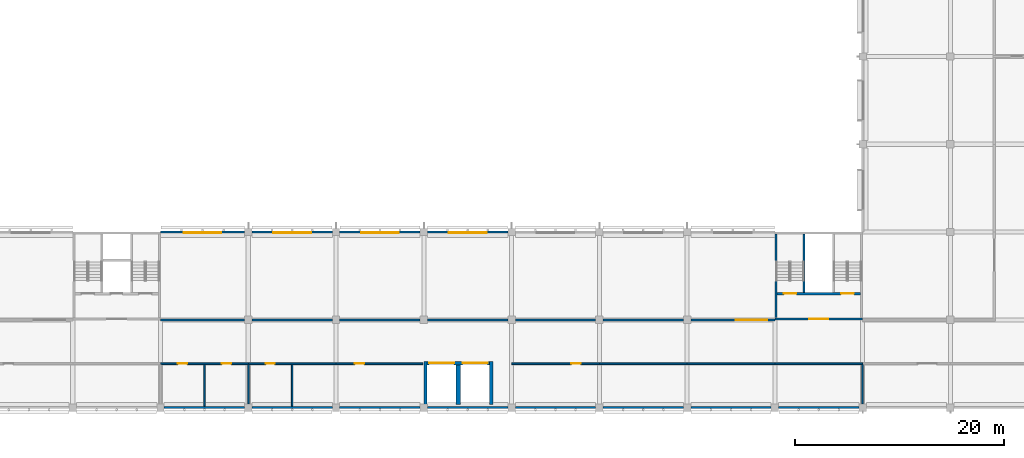
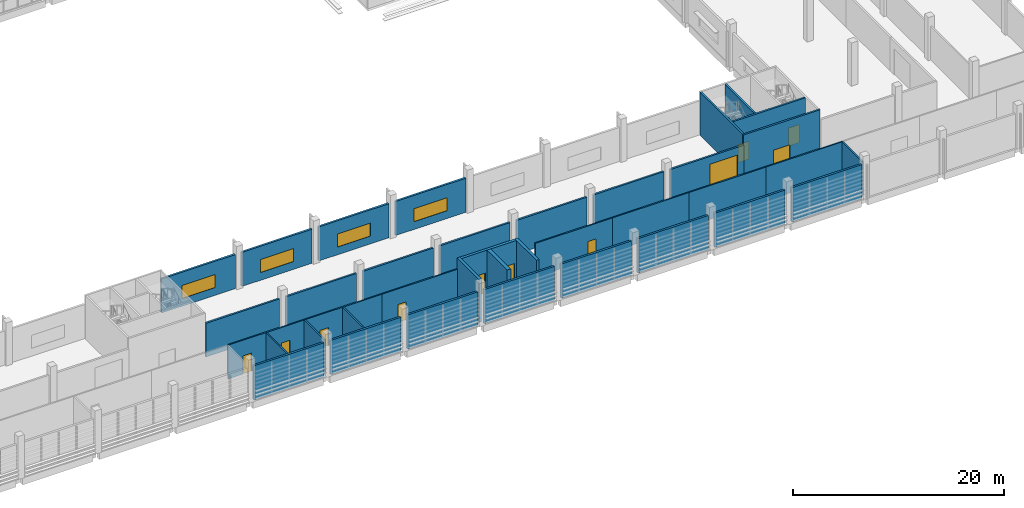
# One storey, part 21 of 82: 38 walls, 11 doors, 4 windows, 15 openings.
"""IFC4 building model written with IfcOpenShell, lengths in metres."""

import ifcopenshell
import ifcopenshell.guid

model = None  # the IFC model being written
_history = None  # IfcOwnerHistory: only IFC2X3 demands one
_inside = {}  # id of a spatial element -> (the spatial element, [elements in it])
_under = {}  # id of a project, library or spatial element -> (it, [spatial elements below it])
_declared = {}  # id of a project -> (the project, [libraries it declares])
_typed = {}  # id of a type object -> (the type object, [elements of that type])
_made_of = {}  # id of a material, layer set ... -> (it, [elements and type objects made of it])


def new_model(schema):
    """Start an empty IFC model of exactly this schema.

    Asked for "IFC4X3", IfcOpenShell would pick the latest addendum, in which some entities
    have other attributes; the version numbers below select the first issue.
    IFC2X3 requires an IfcOwnerHistory on every rooted entity: one is made here for all.
    """
    global model, _history
    if schema == "IFC4X3":
        model = ifcopenshell.file(schema_version=(4, 3, 0, 0))
    else:
        model = ifcopenshell.file(schema=schema)
    _inside.clear()
    _under.clear()
    _declared.clear()
    _typed.clear()
    _made_of.clear()
    _history = None
    if model.schema == "IFC2X3":
        org = make("IfcOrganization", Name="unknown")
        user = make(
            "IfcPersonAndOrganization",
            ThePerson=make("IfcPerson", FamilyName="unknown"),
            TheOrganization=org,
        )
        app = make(
            "IfcApplication",
            ApplicationDeveloper=org,
            Version="unknown",
            ApplicationFullName="unknown",
            ApplicationIdentifier="unknown",
        )
        _history = make(
            "IfcOwnerHistory",
            OwningUser=user,
            OwningApplication=app,
            ChangeAction="ADDED",
            CreationDate=0,
        )
    return model


def make(cls, **values):
    """One entity of the class cls with the attributes given. An attribute that is None is left unset."""
    return model.create_entity(
        cls, **{name: value for name, value in values.items() if value is not None}
    )


def rooted(cls, **values):
    """An entity with a GlobalId (a new one), such as an element, a storey or a relation."""
    return make(cls, GlobalId=ifcopenshell.guid.new(), OwnerHistory=_history, **values)


def si_unit(unit_type, name, prefix=None):
    """IfcSIUnit, for example si_unit("LENGTHUNIT", "METRE", prefix="MILLI")."""
    return make("IfcSIUnit", UnitType=unit_type, Prefix=prefix, Name=name)


def assignment(units):
    """IfcUnitAssignment: the units of a project."""
    return None if units is None else make("IfcUnitAssignment", Units=units)


def point(xyz):
    """IfcCartesianPoint."""
    return None if xyz is None else make("IfcCartesianPoint", Coordinates=xyz)


def direction(xyz):
    """IfcDirection."""
    return None if xyz is None else make("IfcDirection", DirectionRatios=xyz)


def frame(location, z_axis=None, x_axis=None):
    """IfcAxis2Placement3D, a coordinate frame: its origin and axes. An axis left out is left unset."""
    return make(
        "IfcAxis2Placement3D",
        Location=point(location),
        Axis=direction(z_axis),
        RefDirection=direction(x_axis),
    )


def frame_2d(location, x_axis=None):
    """IfcAxis2Placement2D, a coordinate frame in the plane: its origin and x axis."""
    return make(
        "IfcAxis2Placement2D", Location=point(location), RefDirection=direction(x_axis)
    )


def origin():
    """The frame at (0, 0, 0) with its axes left unset."""
    return frame((0.0, 0.0, 0.0))


def place(relative_to, where):
    """IfcLocalPlacement: puts the frame where relative to a parent placement (None: the world)."""
    return make(
        "IfcLocalPlacement", PlacementRelTo=relative_to, RelativePlacement=where
    )


def context(
    kind, dimensions, precision=None, world=None, true_north=None, identifier=None
):
    """IfcGeometricRepresentationContext, for example the 3D "Model" context."""
    return make(
        "IfcGeometricRepresentationContext",
        ContextIdentifier=identifier,
        ContextType=kind,
        CoordinateSpaceDimension=dimensions,
        Precision=precision,
        WorldCoordinateSystem=world,
        TrueNorth=true_north,
    )


def subcontext(parent, identifier, kind, view, scale=None):
    """IfcGeometricRepresentationSubContext, for example "Body" below "Model"."""
    return make(
        "IfcGeometricRepresentationSubContext",
        ContextIdentifier=identifier,
        ContextType=kind,
        ParentContext=parent,
        TargetScale=scale,
        TargetView=view,
    )


def project(units=None, contexts=None):
    """IfcProject with its units and contexts."""
    return rooted(
        "IfcProject",
        Name="project",
        RepresentationContexts=contexts,
        UnitsInContext=assignment(units),
    )


def spatial(cls, under=None, at=None, **own):
    """A site, building, storey or space (cls), placed at a placement, below another one or the project."""
    s = rooted(cls, ObjectPlacement=at, **own)
    if under is not None:
        _under.setdefault(under.id(), (under, []))[1].append(s)
    return s


def profile(cls, at=None, kind="AREA", **sizes):
    """A parametric profile (cls). Its sizes go by their IFC names, for example OverallWidth=200.0."""
    return make(cls, ProfileType=kind, Position=at, **sizes)


def rectangle(**sizes):
    """IfcRectangleProfileDef."""
    return profile("IfcRectangleProfileDef", **sizes)


def extrude(swept, where, along, depth):
    """IfcExtrudedAreaSolid: the profile swept, set in the frame where, extruded along a direction by depth."""
    return make(
        "IfcExtrudedAreaSolid",
        SweptArea=swept,
        Position=where,
        ExtrudedDirection=direction(along),
        Depth=depth,
    )


def shape(context_of_items, identifier, shape_type, items):
    """IfcShapeRepresentation: the items that make up one representation, for example the "Body"."""
    return make(
        "IfcShapeRepresentation",
        ContextOfItems=context_of_items,
        RepresentationIdentifier=identifier,
        RepresentationType=shape_type,
        Items=items,
    )


def material(Name=None, Category=None):
    """IfcMaterial."""
    return make("IfcMaterial", Name=Name, Category=Category)


def layer(
    of_material, thickness, ventilated=None, Name=None, Category=None, Priority=None
):
    """IfcMaterialLayer: one layer of a wall or slab, of a material (None: an air gap)."""
    return make(
        "IfcMaterialLayer",
        Material=of_material,
        LayerThickness=thickness,
        IsVentilated=ventilated,
        Name=Name,
        Category=Category,
        Priority=Priority,
    )


def layer_set(layers, Name=None):
    """IfcMaterialLayerSet."""
    return make("IfcMaterialLayerSet", MaterialLayers=layers, LayerSetName=Name)


def made_of(thing, what):
    """Note that an element or type object is made of a material, layer set ...; save() writes the relation."""
    if what is not None:
        _made_of.setdefault(what.id(), (what, []))[1].append(thing)
    return thing


def type_object(cls, material=None, **own):
    """A type object (cls), such as IfcWallType, which elements share."""
    return made_of(rooted(cls, **own), material)


def element(
    cls,
    number,
    at=None,
    inside=None,
    cuts=None,
    type_object=None,
    material=None,
    context=None,
    identifier="Body",
    shape_type=None,
    held_by="IfcProductDefinitionShape",
    body=None,
    shapes=None,
    **own,
):
    """One element of the class cls, such as IfcWall. Its Tag is "e" and its number.

    at: its placement. inside: the storey or other place that contains it. cuts: it is an
    opening in that element (IfcRelVoidsElement). A single representation is given by context,
    identifier, shape_type and body (its items); several are given by shapes. held_by: the class
    of the entity that holds the representations. save() writes the other relations.
    """
    e = rooted(cls, Tag="e%d" % number, ObjectPlacement=at, **own)
    if body is not None:
        shapes = [shape(context, identifier, shape_type, body)]
    if shapes is not None:
        e.Representation = make(held_by, Representations=shapes)
    if inside is not None:
        _inside.setdefault(inside.id(), (inside, []))[1].append(e)
    if cuts is not None:
        rooted(
            "IfcRelVoidsElement", RelatingBuildingElement=cuts, RelatedOpeningElement=e
        )
    if type_object is not None:
        _typed.setdefault(type_object.id(), (type_object, []))[1].append(e)
    return made_of(e, material)


def fill(opening, filler):
    """IfcRelFillsElement: the door or window that sits in an opening."""
    return rooted(
        "IfcRelFillsElement",
        RelatingOpeningElement=opening,
        RelatedBuildingElement=filler,
    )


def aggregate(whole, parts):
    """IfcRelAggregates: a whole, such as a stair, and the parts it consists of."""
    return rooted("IfcRelAggregates", RelatingObject=whole, RelatedObjects=parts)


def save(model, path):
    """Write the relations noted so far, then the file.

    IfcRelAggregates (storeys below a building ...), IfcRelContainedInSpatialStructure (elements
    in a storey), IfcRelDefinesByType, IfcRelAssociatesMaterial and IfcRelDeclares: one each for
    every whole, place, type object, material and project.
    """
    for whole, parts in _under.values():
        aggregate(whole, parts)
    for where, things in _inside.values():
        rooted(
            "IfcRelContainedInSpatialStructure",
            RelatedElements=things,
            RelatingStructure=where,
        )
    for kind, things in _typed.values():
        rooted("IfcRelDefinesByType", RelatedObjects=things, RelatingType=kind)
    for what, things in _made_of.values():
        rooted("IfcRelAssociatesMaterial", RelatedObjects=things, RelatingMaterial=what)
    for by, libraries in _declared.values():
        rooted("IfcRelDeclares", RelatingContext=by, RelatedDefinitions=libraries)
    model.write(path)


model = new_model("IFC4")

# Units and contexts
model_context = context("Model", 3, precision=1e-05, world=origin(), true_north=direction((0.0, 1.0)))
body_context = subcontext(model_context, "Body", "Model", "MODEL_VIEW")
ifc_project = project(units=[si_unit("LENGTHUNIT", "METRE"), si_unit("AREAUNIT", "SQUARE_METRE"), si_unit("VOLUMEUNIT", "CUBIC_METRE"), si_unit("PLANEANGLEUNIT", "RADIAN"), si_unit("MASSUNIT", "GRAM", prefix="KILO")], contexts=[model_context])

# Site, building, storey
site_placement = place(None, origin())
site = spatial("IfcSite", under=ifc_project, at=site_placement, CompositionType="ELEMENT")
building_placement = place(site_placement, origin())
building = spatial("IfcBuilding", under=site, at=building_placement, Name="Almond Square Museum", CompositionType="ELEMENT")
storey_placement = place(building_placement, frame((0.0, 0.0, 20.0)))
storey = spatial("IfcBuildingStorey", under=building, at=storey_placement, Name="L03", CompositionType="ELEMENT", Elevation=20.0)

# Walls
ifc_material_1 = material(Name="Concrete blockwork 200", Category="masonry")
ifc_layer_1 = layer(ifc_material_1, 0.199951171875)
ifc_layer_set_1 = layer_set([ifc_layer_1], Name="Concrete blockwork 200")
wall_type_1 = type_object("IfcWallType", Name="Fire partition 200 blockwork", PredefinedType="PARTITIONING", material=ifc_layer_set_1)
wall_1_placement = place(storey_placement, frame((64.800048828125, 8.39990234375, 0.0), z_axis=(0.0, 0.0, 1.0), x_axis=(1.0, 0.0, 0.0)))
element("IfcWall", 1, at=wall_1_placement, inside=storey, type_object=wall_type_1, Name="L03 partition 66", PredefinedType="PARTITIONING", context=body_context, shape_type="SweptSolid", body=[
    extrude(rectangle(XDim=8.050048828125, YDim=0.199951171875, at=frame_2d((4.02490234375, 0.0))), origin(), (0.0, 0.0, 1.0), 3.89990234375),
])
for number, where, z_axis, x_axis, name in (
    (2, (73.550048828125, 8.39990234375, 0.0), (0.0, 0.0, 1.0), (1.0, 0.0, 0.0), "L03 partition 67"),
    (3, (81.949951171875, 8.39990234375, 0.0), (0.0, 0.0, 1.0), (1.0, 0.0, 0.0), "L03 partition 68"),
    (4, (90.35009765625, 8.39990234375, 0.0), (0.0, 0.0, 1.0), (1.0, 0.0, 0.0), "L03 partition 69"),
    (5, (98.75, 8.39990234375, 0.0), (0.0, 0.0, 1.0), (1.0, 0.0, 0.0), "L03 partition 70"),
):
    element("IfcWall", number, at=place(storey_placement, frame(where, z_axis=z_axis, x_axis=x_axis)), inside=storey, type_object=wall_type_1, Name=name, PredefinedType="PARTITIONING", context=body_context, shape_type="SweptSolid", body=[
        extrude(rectangle(XDim=7.699951171875, YDim=0.199951171875, at=frame_2d((3.85009765625, 0.0))), origin(), (0.0, 0.0, 1.0), 3.89990234375),
    ])
wall_2_placement = place(storey_placement, frame((107.14990234375, 8.39990234375, 0.0), z_axis=(0.0, 0.0, 1.0), x_axis=(1.0, 0.0, 0.0)))
element("IfcWall", 6, at=wall_2_placement, inside=storey, type_object=wall_type_1, Name="L03 partition 71", PredefinedType="PARTITIONING", context=body_context, shape_type="SweptSolid", body=[
    extrude(rectangle(XDim=7.7001953125, YDim=0.199951171875, at=frame_2d((3.85009765625, 0.0))), origin(), (0.0, 0.0, 1.0), 3.89990234375),
])

# Wall, opening, door
wall_3_placement = place(storey_placement, frame((115.550048828125, 8.39990234375, 0.0), z_axis=(0.0, 0.0, 1.0), x_axis=(1.0, 0.0, 0.0)))
wall_3 = element("IfcWall", 7, at=wall_3_placement, inside=storey, type_object=wall_type_1, Name="L03 partition 72", PredefinedType="PARTITIONING", context=body_context, shape_type="SweptSolid", body=[
    extrude(rectangle(XDim=8.050048828125, YDim=0.199951171875, at=frame_2d((4.02490234375, 0.0))), origin(), (0.0, 0.0, 1.0), 3.89990234375),
])
opening_1_placement = place(wall_3_placement, frame((4.324951171875, 0.0, 0.0)))
opening_1 = element("IfcOpeningElement", 8, at=opening_1_placement, cuts=wall_3, Name="Opening D3120", PredefinedType="OPENING", context=body_context, shape_type="SweptSolid", body=[
    extrude(rectangle(XDim=3.0, YDim=3.0, at=frame_2d((1.5, 1.5))), frame((0.0, 0.10986328125, 0.0), z_axis=(0.0, -1.0, 0.0), x_axis=(1.0, 0.0, 0.0)), (0.0, 0.0, 1.0), 0.219970703125),
])
ifc_material_2 = material(Name="Steel", Category="steel")
door_type_1 = type_object("IfcDoorType", Name="Dock door 3000 x 3000 steel double", OperationType="NOTDEFINED", PredefinedType="DOOR", material=ifc_material_2)
door_1_placement = place(opening_1_placement, origin())
door_1 = element("IfcDoor", 9, at=door_1_placement, inside=storey, type_object=door_type_1, Name="L03 door Collection Store 3 to Service Corridor 1", OperationType="DOUBLE_DOOR_SINGLE_SWING", OverallHeight=3.0, OverallWidth=3.0, PredefinedType="DOOR", context=body_context, shape_type="SweptSolid", body=[
    extrude(rectangle(XDim=3.0, YDim=3.0, at=frame_2d((1.5, 1.5))), frame((0.0, 0.02490234375, 0.0), z_axis=(0.0, -1.0, 0.0), x_axis=(1.0, 0.0, 0.0)), (0.0, 0.0, 1.0), 0.050048828125),
])
fill(opening_1, door_1)

ifc_material_3 = material(Name="Plasterboard on steel stud", Category="steel")
ifc_layer_2 = layer(ifc_material_3, 0.14990234375)
ifc_layer_set_2 = layer_set([ifc_layer_2], Name="Plasterboard on steel stud")
wall_type_2 = type_object("IfcWallType", Name="Partition 150 plasterboard on steel stud", PredefinedType="PARTITIONING", material=ifc_layer_set_2)
wall_4_placement = place(storey_placement, frame((98.39990234375, 4.199951171875, 0.0), z_axis=(0.0, 0.0, 1.0), x_axis=(1.0, 0.0, 0.0)))
wall_4 = element("IfcWall", 10, at=wall_4_placement, inside=storey, type_object=wall_type_2, Name="L03 partition 73", PredefinedType="PARTITIONING", context=body_context, shape_type="SweptSolid", body=[
    extrude(rectangle(XDim=8.400146484375, YDim=0.14990234375, at=frame_2d((4.2001953125, 0.0))), origin(), (0.0, 0.0, 1.0), 3.89990234375),
])
opening_2_placement = place(wall_4_placement, frame((5.72509765625, 0.0, 0.0)))
opening_2 = element("IfcOpeningElement", 11, at=opening_2_placement, cuts=wall_4, Name="Opening D3128", PredefinedType="OPENING", context=body_context, shape_type="SweptSolid", body=[
    extrude(rectangle(XDim=0.89990234375, YDim=2.10009765625, at=frame_2d((0.449951171875, 1.050048828125))), frame((0.0, 0.0849609375, 0.0), z_axis=(0.0, -1.0, 0.0), x_axis=(1.0, 0.0, 0.0)), (0.0, 0.0, 1.0), 0.169921875),
])
ifc_material_4 = material(Name="Timber", Category="wood")
door_type_2 = type_object("IfcDoorType", Name="Door 900 x 2100 timber single", OperationType="NOTDEFINED", PredefinedType="DOOR", material=ifc_material_4)
door_2_placement = place(opening_2_placement, origin())
door_2 = element("IfcDoor", 12, at=door_2_placement, inside=storey, type_object=door_type_2, Name="L03 door Administration Office to Service Corridor 1", OperationType="SINGLE_SWING_RIGHT", OverallHeight=2.10009765625, OverallWidth=0.89990234375, PredefinedType="DOOR", context=body_context, shape_type="SweptSolid", body=[
    extrude(rectangle(XDim=0.89990234375, YDim=2.10009765625, at=frame_2d((0.449951171875, 1.050048828125))), frame((0.0, 0.02490234375, 0.0), z_axis=(0.0, -1.0, 0.0), x_axis=(1.0, 0.0, 0.0)), (0.0, 0.0, 1.0), 0.050048828125),
])
fill(opening_2, door_2)

# Walls
wall_5_placement = place(storey_placement, frame((106.800048828125, 4.199951171875, 0.0), z_axis=(0.0, 0.0, 1.0), x_axis=(1.0, 0.0, 0.0)))
element("IfcWall", 13, at=wall_5_placement, inside=storey, type_object=wall_type_2, Name="L03 partition 74", PredefinedType="PARTITIONING", context=body_context, shape_type="SweptSolid", body=[
    extrude(rectangle(XDim=8.39990234375, YDim=0.14990234375, at=frame_2d((4.199951171875, 0.0))), origin(), (0.0, 0.0, 1.0), 3.89990234375),
])
wall_6_placement = place(storey_placement, frame((115.199951171875, 4.199951171875, 0.0), z_axis=(0.0, 0.0, 1.0), x_axis=(1.0, 0.0, 0.0)))
element("IfcWall", 14, at=wall_6_placement, inside=storey, type_object=wall_type_2, Name="L03 partition 75", PredefinedType="PARTITIONING", context=body_context, shape_type="SweptSolid", body=[
    extrude(rectangle(XDim=8.400146484375, YDim=0.14990234375, at=frame_2d((4.2001953125, 0.0))), origin(), (0.0, 0.0, 1.0), 3.89990234375),
])
wall_7_placement = place(storey_placement, frame((123.60009765625, 4.199951171875, 0.0), z_axis=(0.0, 0.0, 1.0), x_axis=(1.0, 0.0, 0.0)))
element("IfcWall", 15, at=wall_7_placement, inside=storey, type_object=wall_type_2, Name="L03 partition 76", PredefinedType="PARTITIONING", context=body_context, shape_type="SweptSolid", body=[
    extrude(rectangle(XDim=8.39990234375, YDim=0.14990234375, at=frame_2d((4.199951171875, 0.0))), origin(), (0.0, 0.0, 1.0), 3.89990234375),
])

# Wall, openings, doors
wall_8_placement = place(storey_placement, frame((64.800048828125, 4.199951171875, 0.0), z_axis=(0.0, 0.0, 1.0), x_axis=(1.0, 0.0, 0.0)))
wall_8 = element("IfcWall", 16, at=wall_8_placement, inside=storey, type_object=wall_type_2, Name="L03 partition 86", PredefinedType="PARTITIONING", context=body_context, shape_type="SweptSolid", body=[
    extrude(rectangle(XDim=8.39990234375, YDim=0.14990234375, at=frame_2d((4.199951171875, 0.0))), origin(), (0.0, 0.0, 1.0), 3.89990234375),
])
opening_3_placement = place(wall_8_placement, frame((1.64990234375, 0.0, 0.0)))
opening_3 = element("IfcOpeningElement", 17, at=opening_3_placement, cuts=wall_8, Name="Opening D3124", PredefinedType="OPENING", context=body_context, shape_type="SweptSolid", body=[
    extrude(rectangle(XDim=0.89990234375, YDim=2.10009765625, at=frame_2d((0.449951171875, 1.050048828125))), frame((0.0, 0.0849609375, 0.0), z_axis=(0.0, -1.0, 0.0), x_axis=(1.0, 0.0, 0.0)), (0.0, 0.0, 1.0), 0.169921875),
])
opening_4_placement = place(wall_8_placement, frame((5.85009765625, 0.0, 0.0)))
opening_4 = element("IfcOpeningElement", 18, at=opening_4_placement, cuts=wall_8, Name="Opening D3125", PredefinedType="OPENING", context=body_context, shape_type="SweptSolid", body=[
    extrude(rectangle(XDim=0.89990234375, YDim=2.10009765625, at=frame_2d((0.449951171875, 1.050048828125))), frame((0.0, 0.0849609375, 0.0), z_axis=(0.0, -1.0, 0.0), x_axis=(1.0, 0.0, 0.0)), (0.0, 0.0, 1.0), 0.169921875),
])
door_3_placement = place(opening_3_placement, origin())
door_3 = element("IfcDoor", 19, at=door_3_placement, inside=storey, type_object=door_type_2, Name="L03 door Women's WC 3 to Service Corridor 2", OperationType="SINGLE_SWING_LEFT", OverallHeight=2.10009765625, OverallWidth=0.89990234375, PredefinedType="DOOR", context=body_context, shape_type="SweptSolid", body=[
    extrude(rectangle(XDim=0.89990234375, YDim=2.10009765625, at=frame_2d((0.449951171875, 1.050048828125))), frame((0.0, 0.02490234375, 0.0), z_axis=(0.0, -1.0, 0.0), x_axis=(1.0, 0.0, 0.0)), (0.0, 0.0, 1.0), 0.050048828125),
])
fill(opening_3, door_3)
door_4_placement = place(opening_4_placement, origin())
door_4 = element("IfcDoor", 20, at=door_4_placement, inside=storey, type_object=door_type_2, Name="L03 door Men's WC 3 to Service Corridor 2", OperationType="SINGLE_SWING_RIGHT", OverallHeight=2.10009765625, OverallWidth=0.89990234375, PredefinedType="DOOR", context=body_context, shape_type="SweptSolid", body=[
    extrude(rectangle(XDim=0.89990234375, YDim=2.10009765625, at=frame_2d((0.449951171875, 1.050048828125))), frame((0.0, 0.02490234375, 0.0), z_axis=(0.0, -1.0, 0.0), x_axis=(1.0, 0.0, 0.0)), (0.0, 0.0, 1.0), 0.050048828125),
])
fill(opening_4, door_4)

# Wall, opening, door
wall_9_placement = place(storey_placement, frame((73.199951171875, 4.199951171875, 0.0), z_axis=(0.0, 0.0, 1.0), x_axis=(1.0, 0.0, 0.0)))
wall_9 = element("IfcWall", 21, at=wall_9_placement, inside=storey, type_object=wall_type_2, Name="L03 partition 87", PredefinedType="PARTITIONING", context=body_context, shape_type="SweptSolid", body=[
    extrude(rectangle(XDim=8.400146484375, YDim=0.14990234375, at=frame_2d((4.2001953125, 0.0))), origin(), (0.0, 0.0, 1.0), 3.89990234375),
])
opening_5_placement = place(wall_9_placement, frame((1.64990234375, 0.0, 0.0)))
opening_5 = element("IfcOpeningElement", 22, at=opening_5_placement, cuts=wall_9, Name="Opening D3126", PredefinedType="OPENING", context=body_context, shape_type="SweptSolid", body=[
    extrude(rectangle(XDim=0.89990234375, YDim=2.10009765625, at=frame_2d((0.449951171875, 1.050048828125))), frame((0.0, 0.0849609375, 0.0), z_axis=(0.0, -1.0, 0.0), x_axis=(1.0, 0.0, 0.0)), (0.0, 0.0, 1.0), 0.169921875),
])
door_5_placement = place(opening_5_placement, origin())
door_5 = element("IfcDoor", 23, at=door_5_placement, inside=storey, type_object=door_type_2, Name="L03 door Accessible WC 3 to Service Corridor 2", OperationType="SINGLE_SWING_LEFT", OverallHeight=2.10009765625, OverallWidth=0.89990234375, PredefinedType="DOOR", context=body_context, shape_type="SweptSolid", body=[
    extrude(rectangle(XDim=0.89990234375, YDim=2.10009765625, at=frame_2d((0.449951171875, 1.050048828125))), frame((0.0, 0.02490234375, 0.0), z_axis=(0.0, -1.0, 0.0), x_axis=(1.0, 0.0, 0.0)), (0.0, 0.0, 1.0), 0.050048828125),
])
fill(opening_5, door_5)

wall_10_placement = place(storey_placement, frame((81.60009765625, 4.199951171875, 0.0), z_axis=(0.0, 0.0, 1.0), x_axis=(1.0, 0.0, 0.0)))
wall_10 = element("IfcWall", 24, at=wall_10_placement, inside=storey, type_object=wall_type_2, Name="L03 partition 88", PredefinedType="PARTITIONING", context=body_context, shape_type="SweptSolid", body=[
    extrude(rectangle(XDim=8.2998046875, YDim=0.14990234375, at=frame_2d((4.14990234375, 0.0))), origin(), (0.0, 0.0, 1.0), 3.89990234375),
])
opening_6_placement = place(wall_10_placement, frame((1.77490234375, 0.0, 0.0)))
opening_6 = element("IfcOpeningElement", 25, at=opening_6_placement, cuts=wall_10, Name="Opening D3127", PredefinedType="OPENING", context=body_context, shape_type="SweptSolid", body=[
    extrude(rectangle(XDim=0.89990234375, YDim=2.10009765625, at=frame_2d((0.449951171875, 1.050048828125))), frame((0.0, 0.0849609375, 0.0), z_axis=(0.0, -1.0, 0.0), x_axis=(1.0, 0.0, 0.0)), (0.0, 0.0, 1.0), 0.169921875),
])
door_6_placement = place(opening_6_placement, origin())
door_6 = element("IfcDoor", 26, at=door_6_placement, inside=storey, type_object=door_type_2, Name="L03 door Exhibitions Office to Service Corridor 2", OperationType="SINGLE_SWING_LEFT", OverallHeight=2.10009765625, OverallWidth=0.89990234375, PredefinedType="DOOR", context=body_context, shape_type="SweptSolid", body=[
    extrude(rectangle(XDim=0.89990234375, YDim=2.10009765625, at=frame_2d((0.449951171875, 1.050048828125))), frame((0.0, 0.02490234375, 0.0), z_axis=(0.0, -1.0, 0.0), x_axis=(1.0, 0.0, 0.0)), (0.0, 0.0, 1.0), 0.050048828125),
])
fill(opening_6, door_6)

# Walls
wall_11_placement = place(storey_placement, frame((69.0, 0.14990234375, 0.0), z_axis=(0.0, 0.0, 1.0), x_axis=(0.0, 1.0, 0.0)))
element("IfcWall", 27, at=wall_11_placement, inside=storey, type_object=wall_type_2, Name="L03 partition 92", PredefinedType="PARTITIONING", context=body_context, shape_type="SweptSolid", body=[
    extrude(rectangle(XDim=3.97509765625, YDim=0.14990234375, at=frame_2d((1.987548828125, 0.0))), origin(), (0.0, 0.0, 1.0), 3.89990234375),
])
wall_12_placement = place(storey_placement, frame((73.199951171875, 0.35009765625, 0.0), z_axis=(0.0, 0.0, 1.0), x_axis=(0.0, 1.0, 0.0)))
element("IfcWall", 28, at=wall_12_placement, inside=storey, type_object=wall_type_2, Name="L03 partition 93", PredefinedType="PARTITIONING", context=body_context, shape_type="SweptSolid", body=[
    extrude(rectangle(XDim=3.77490234375, YDim=0.14990234375, at=frame_2d((1.887451171875, 0.0))), origin(), (0.0, 0.0, 1.0), 3.89990234375),
])
wall_13_placement = place(storey_placement, frame((77.39990234375, 0.14990234375, 0.0), z_axis=(0.0, 0.0, 1.0), x_axis=(0.0, 1.0, 0.0)))
element("IfcWall", 29, at=wall_13_placement, inside=storey, type_object=wall_type_2, Name="L03 partition 94", PredefinedType="PARTITIONING", context=body_context, shape_type="SweptSolid", body=[
    extrude(rectangle(XDim=3.97509765625, YDim=0.14990234375, at=frame_2d((1.987548828125, 0.0))), origin(), (0.0, 0.0, 1.0), 3.89990234375),
])
wall_14_placement = place(storey_placement, frame((132.0, 0.35009765625, 0.0), z_axis=(0.0, 0.0, 1.0), x_axis=(0.0, 1.0, 0.0)))
element("IfcWall", 30, at=wall_14_placement, inside=storey, type_object=wall_type_2, Name="L03 partition 95", PredefinedType="PARTITIONING", context=body_context, shape_type="SweptSolid", body=[
    extrude(rectangle(XDim=3.77490234375, YDim=0.14990234375, at=frame_2d((1.887451171875, 0.0))), origin(), (0.0, 0.0, 1.0), 3.89990234375),
])

# Wall, opening, door
ifc_material_5 = material(Name="Concrete C40/50", Category="concrete")
ifc_layer_3 = layer(ifc_material_5, 0.199951171875)
ifc_layer_set_3 = layer_set([ifc_layer_3], Name="Concrete C40/50")
wall_type_3 = type_object("IfcWallType", Name="RC shear wall 200 C40/50", PredefinedType="SHEAR", material=ifc_layer_set_3)
wall_15_placement = place(storey_placement, frame((123.60009765625, 8.5, 0.0), z_axis=(0.0, 0.0, 1.0), x_axis=(1.0, 0.0, 0.0)))
wall_15 = element("IfcWall", 31, at=wall_15_placement, inside=storey, type_object=wall_type_3, Name="Core S3 south wall L03", PredefinedType="SHEAR", context=body_context, shape_type="SweptSolid", body=[
    extrude(rectangle(XDim=8.39990234375, YDim=0.199951171875, at=frame_2d((4.199951171875, 0.0))), origin(), (0.0, 0.0, 1.0), 5.0),
])
opening_7_placement = place(wall_15_placement, frame((3.300048828125, 0.0, 0.0)))
opening_7 = element("IfcOpeningElement", 32, at=opening_7_placement, cuts=wall_15, Name="Opening D3178", PredefinedType="OPENING", context=body_context, shape_type="SweptSolid", body=[
    extrude(rectangle(XDim=1.800048828125, YDim=2.10009765625, at=frame_2d((0.89990234375, 1.050048828125))), frame((0.0, 0.10986328125, 0.0), z_axis=(0.0, -1.0, 0.0), x_axis=(1.0, 0.0, 0.0)), (0.0, 0.0, 1.0), 0.219970703125),
])
ifc_material_6 = material(Name="Steel", Category="steel")
door_type_3 = type_object("IfcDoorType", Name="Fire door 1800 x 2100 FD60 double", OperationType="NOTDEFINED", PredefinedType="DOOR", material=ifc_material_6)
door_7_placement = place(opening_7_placement, origin())
door_7 = element("IfcDoor", 33, at=door_7_placement, inside=storey, type_object=door_type_3, Name="L03 stair core S3 lobby door", OperationType="DOUBLE_DOOR_SINGLE_SWING", OverallHeight=2.10009765625, OverallWidth=1.800048828125, PredefinedType="DOOR", context=body_context, shape_type="SweptSolid", body=[
    extrude(rectangle(XDim=1.800048828125, YDim=2.10009765625, at=frame_2d((0.89990234375, 1.050048828125))), frame((0.0, 0.02490234375, 0.0), z_axis=(0.0, -1.0, 0.0), x_axis=(1.0, 0.0, 0.0)), (0.0, 0.0, 1.0), 0.050048828125),
])
fill(opening_7, door_7)

# Wall
wall_16_placement = place(storey_placement, frame((123.699951171875, 8.60009765625, 0.0), z_axis=(0.0, 0.0, 1.0), x_axis=(0.0, 1.0, 0.0)))
element("IfcWall", 34, at=wall_16_placement, inside=storey, type_object=wall_type_3, Name="Core S3 west wall L03", PredefinedType="SHEAR", context=body_context, shape_type="SweptSolid", body=[
    extrude(rectangle(XDim=8.0, YDim=0.199951171875, at=frame_2d((4.0, 0.0))), origin(), (0.0, 0.0, 1.0), 5.0),
])

# Wall, openings, doors
wall_17_placement = place(storey_placement, frame((123.800048828125, 10.89990234375, 0.0), z_axis=(0.0, 0.0, 1.0), x_axis=(1.0, 0.0, 0.0)))
wall_17 = element("IfcWall", 35, at=wall_17_placement, inside=storey, type_object=wall_type_3, Name="Core S3 lobby wall L03", PredefinedType="SHEAR", context=body_context, shape_type="SweptSolid", body=[
    extrude(rectangle(XDim=8.0, YDim=0.199951171875, at=frame_2d((4.0, 0.0))), origin(), (0.0, 0.0, 1.0), 5.0),
])
opening_8_placement = place(wall_17_placement, frame((0.64990234375, 0.0, 0.0)))
opening_8 = element("IfcOpeningElement", 36, at=opening_8_placement, cuts=wall_17, Name="Opening D3179", PredefinedType="OPENING", context=body_context, shape_type="SweptSolid", body=[
    extrude(rectangle(XDim=1.199951171875, YDim=2.10009765625, at=frame_2d((0.60009765625, 1.050048828125))), frame((0.0, 0.10986328125, 0.0), z_axis=(0.0, -1.0, 0.0), x_axis=(1.0, 0.0, 0.0)), (0.0, 0.0, 1.0), 0.219970703125),
])
opening_9_placement = place(wall_17_placement, frame((6.14990234375, 0.0, 0.0)))
opening_9 = element("IfcOpeningElement", 37, at=opening_9_placement, cuts=wall_17, Name="Opening D3180", PredefinedType="OPENING", context=body_context, shape_type="SweptSolid", body=[
    extrude(rectangle(XDim=1.199951171875, YDim=2.10009765625, at=frame_2d((0.60009765625, 1.050048828125))), frame((0.0, 0.10986328125, 0.0), z_axis=(0.0, -1.0, 0.0), x_axis=(1.0, 0.0, 0.0)), (0.0, 0.0, 1.0), 0.219970703125),
])
ifc_material_7 = material(Name="Steel", Category="steel")
door_type_4 = type_object("IfcDoorType", Name="Fire door 1200 x 2100 FD120 stair", OperationType="NOTDEFINED", PredefinedType="DOOR", material=ifc_material_7)
door_8_placement = place(opening_8_placement, origin())
door_8 = element("IfcDoor", 38, at=door_8_placement, inside=storey, type_object=door_type_4, Name="L03 stair S3-1 door", OperationType="SINGLE_SWING_LEFT", OverallHeight=2.10009765625, OverallWidth=1.199951171875, PredefinedType="DOOR", context=body_context, shape_type="SweptSolid", body=[
    extrude(rectangle(XDim=1.199951171875, YDim=2.10009765625, at=frame_2d((0.60009765625, 1.050048828125))), frame((0.0, 0.02490234375, 0.0), z_axis=(0.0, -1.0, 0.0), x_axis=(1.0, 0.0, 0.0)), (0.0, 0.0, 1.0), 0.050048828125),
])
fill(opening_8, door_8)
door_9_placement = place(opening_9_placement, origin())
door_9 = element("IfcDoor", 39, at=door_9_placement, inside=storey, type_object=door_type_4, Name="L03 stair S3-2 door", OperationType="SINGLE_SWING_RIGHT", OverallHeight=2.10009765625, OverallWidth=1.199951171875, PredefinedType="DOOR", context=body_context, shape_type="SweptSolid", body=[
    extrude(rectangle(XDim=1.199951171875, YDim=2.10009765625, at=frame_2d((0.60009765625, 1.050048828125))), frame((0.0, 0.02490234375, 0.0), z_axis=(0.0, -1.0, 0.0), x_axis=(1.0, 0.0, 0.0)), (0.0, 0.0, 1.0), 0.050048828125),
])
fill(opening_9, door_9)

# Walls
wall_18_placement = place(storey_placement, frame((126.39990234375, 11.0, 0.0), z_axis=(0.0, 0.0, 1.0), x_axis=(0.0, 1.0, 0.0)))
element("IfcWall", 40, at=wall_18_placement, inside=storey, type_object=wall_type_3, Name="Core S3 partition wall L03", PredefinedType="SHEAR", context=body_context, shape_type="SweptSolid", body=[
    extrude(rectangle(XDim=5.60009765625, YDim=0.199951171875, at=frame_2d((2.800048828125, 0.0))), origin(), (0.0, 0.0, 1.0), 5.0),
])
ifc_material_8 = material(Name="Concrete C40/50", Category="concrete")
ifc_layer_4 = layer(ifc_material_8, 0.300048828125)
ifc_layer_set_4 = layer_set([ifc_layer_4], Name="Concrete C40/50")
wall_type_4 = type_object("IfcWallType", Name="RC shear wall 300 C40/50", PredefinedType="SHEAR", material=ifc_layer_set_4)
for number, where, z_axis, x_axis, name in (
    (41, (90.14990234375, 0.300048828125, 0.0), (0.0, 0.0, 1.0), (0.0, 1.0, 0.0), "Goods lift shaft west wall L03"),
    (42, (96.449951171875, 0.300048828125, 0.0), (0.0, 0.0, 1.0), (0.0, 1.0, 0.0), "Goods lift shaft east wall L03"),
):
    element("IfcWall", number, at=place(storey_placement, frame(where, z_axis=z_axis, x_axis=x_axis)), inside=storey, type_object=wall_type_4, Name=name, PredefinedType="SHEAR", context=body_context, shape_type="SweptSolid", body=[
        extrude(rectangle(XDim=4.099853515625, YDim=0.300048828125, at=frame_2d((2.0498046875, 0.0))), origin(), (0.0, 0.0, 1.0), 5.0),
    ])

# Wall, openings, doors
wall_19_placement = place(storey_placement, frame((90.300048828125, 4.25, 0.0), z_axis=(0.0, 0.0, 1.0), x_axis=(1.0, 0.0, 0.0)))
wall_19 = element("IfcWall", 43, at=wall_19_placement, inside=storey, type_object=wall_type_4, Name="Goods lift shaft lobby wall L03", PredefinedType="SHEAR", context=body_context, shape_type="SweptSolid", body=[
    extrude(rectangle(XDim=6.0, YDim=0.300048828125, at=frame_2d((3.0, 0.0))), origin(), (0.0, 0.0, 1.0), 5.0),
])
opening_10_placement = place(wall_19_placement, frame((0.199951171875, 0.0, 0.0)))
opening_10 = element("IfcOpeningElement", 44, at=opening_10_placement, cuts=wall_19, Name="Opening D3188", PredefinedType="OPENING", context=body_context, shape_type="SweptSolid", body=[
    extrude(rectangle(XDim=2.39990234375, YDim=2.39990234375, at=frame_2d((1.199951171875, 1.199951171875))), frame((0.0, 0.159912109375, 0.0), z_axis=(0.0, -1.0, 0.0), x_axis=(1.0, 0.0, 0.0)), (0.0, 0.0, 1.0), 0.320068359375),
])
opening_11_placement = place(wall_19_placement, frame((3.39990234375, 0.0, 0.0)))
opening_11 = element("IfcOpeningElement", 45, at=opening_11_placement, cuts=wall_19, Name="Opening D3189", PredefinedType="OPENING", context=body_context, shape_type="SweptSolid", body=[
    extrude(rectangle(XDim=2.39990234375, YDim=2.39990234375, at=frame_2d((1.199951171875, 1.199951171875))), frame((0.0, 0.159912109375, 0.0), z_axis=(0.0, -1.0, 0.0), x_axis=(1.0, 0.0, 0.0)), (0.0, 0.0, 1.0), 0.320068359375),
])
ifc_material_9 = material(Name="Stainless steel", Category="steel")
door_type_5 = type_object("IfcDoorType", Name="Goods lift landing door 2400 x 2400", OperationType="NOTDEFINED", PredefinedType="DOOR", material=ifc_material_9)
door_10_placement = place(opening_10_placement, origin())
door_10 = element("IfcDoor", 46, at=door_10_placement, inside=storey, type_object=door_type_5, Name="L03 goods lift GL1 landing door", OperationType="DOUBLE_DOOR_SLIDING", OverallHeight=2.39990234375, OverallWidth=2.39990234375, PredefinedType="DOOR", context=body_context, shape_type="SweptSolid", body=[
    extrude(rectangle(XDim=2.39990234375, YDim=2.39990234375, at=frame_2d((1.199951171875, 1.199951171875))), frame((0.0, 0.02490234375, 0.0), z_axis=(0.0, -1.0, 0.0), x_axis=(1.0, 0.0, 0.0)), (0.0, 0.0, 1.0), 0.050048828125),
])
fill(opening_10, door_10)
door_11_placement = place(opening_11_placement, origin())
door_11 = element("IfcDoor", 47, at=door_11_placement, inside=storey, type_object=door_type_5, Name="L03 goods lift GL2 landing door", OperationType="DOUBLE_DOOR_SLIDING", OverallHeight=2.39990234375, OverallWidth=2.39990234375, PredefinedType="DOOR", context=body_context, shape_type="SweptSolid", body=[
    extrude(rectangle(XDim=2.39990234375, YDim=2.39990234375, at=frame_2d((1.199951171875, 1.199951171875))), frame((0.0, 0.02490234375, 0.0), z_axis=(0.0, -1.0, 0.0), x_axis=(1.0, 0.0, 0.0)), (0.0, 0.0, 1.0), 0.050048828125),
])
fill(opening_11, door_11)

# Walls
ifc_material_10 = material(Name="Concrete C40/50", Category="concrete")
ifc_layer_5 = layer(ifc_material_10, 0.39990234375)
ifc_layer_set_5 = layer_set([ifc_layer_5], Name="Concrete C40/50")
wall_type_5 = type_object("IfcWallType", Name="RC shear wall 400 C40/50", PredefinedType="SHEAR", material=ifc_layer_set_5)
wall_20_placement = place(storey_placement, frame((93.300048828125, 0.300048828125, 0.0), z_axis=(0.0, 0.0, 1.0), x_axis=(0.0, 1.0, 0.0)))
element("IfcWall", 48, at=wall_20_placement, inside=storey, type_object=wall_type_5, Name="Goods lift shaft partition wall L03", PredefinedType="SHEAR", context=body_context, shape_type="SweptSolid", body=[
    extrude(rectangle(XDim=3.800048828125, YDim=0.39990234375, at=frame_2d((1.89990234375, 0.0))), origin(), (0.0, 0.0, 1.0), 5.0),
])
ifc_material_11 = material(Name="Concrete C30/37", Category="concrete")
ifc_layer_6 = layer(ifc_material_11, 0.219970703125)
ifc_layer_set_6 = layer_set([ifc_layer_6], Name="Concrete C30/37")
wall_type_6 = type_object("IfcWallType", Name="Stucco panel wall 220 with insulation", PredefinedType="SOLIDWALL", material=ifc_layer_set_6)
wall_21_placement = place(storey_placement, frame((65.14990234375, 0.0, 0.0), z_axis=(0.0, 0.0, 1.0), x_axis=(1.0, 0.0, 0.0)))
element("IfcWall", 49, at=wall_21_placement, inside=storey, type_object=wall_type_6, Name="External wall W4 V5S L03 S07", PredefinedType="SOLIDWALL", context=body_context, shape_type="SweptSolid", body=[
    extrude(rectangle(XDim=7.7001953125, YDim=0.219970703125, at=frame_2d((3.85009765625, 0.0))), origin(), (0.0, 0.0, 1.0), 3.93994140625),
])
for number, where, z_axis, x_axis, name in (
    (50, (73.550048828125, 0.0, 0.0), (0.0, 0.0, 1.0), (1.0, 0.0, 0.0), "External wall W4 V5S L03 S08"),
    (51, (81.949951171875, 0.0, 0.0), (0.0, 0.0, 1.0), (1.0, 0.0, 0.0), "External wall W4 V5S L03 S09"),
    (52, (90.35009765625, 0.0, 0.0), (0.0, 0.0, 1.0), (1.0, 0.0, 0.0), "External wall W4 V5S L03 S10"),
    (53, (98.75, 0.0, 0.0), (0.0, 0.0, 1.0), (1.0, 0.0, 0.0), "External wall W4 V5S L03 S11"),
):
    element("IfcWall", number, at=place(storey_placement, frame(where, z_axis=z_axis, x_axis=x_axis)), inside=storey, type_object=wall_type_6, Name=name, PredefinedType="SOLIDWALL", context=body_context, shape_type="SweptSolid", body=[
        extrude(rectangle(XDim=7.699951171875, YDim=0.219970703125, at=frame_2d((3.85009765625, 0.0))), origin(), (0.0, 0.0, 1.0), 3.93994140625),
    ])
wall_22_placement = place(storey_placement, frame((107.14990234375, 0.0, 0.0), z_axis=(0.0, 0.0, 1.0), x_axis=(1.0, 0.0, 0.0)))
element("IfcWall", 54, at=wall_22_placement, inside=storey, type_object=wall_type_6, Name="External wall W4 V5S L03 S12", PredefinedType="SOLIDWALL", context=body_context, shape_type="SweptSolid", body=[
    extrude(rectangle(XDim=7.7001953125, YDim=0.219970703125, at=frame_2d((3.85009765625, 0.0))), origin(), (0.0, 0.0, 1.0), 3.93994140625),
])
for number, where, z_axis, x_axis, name in (
    (55, (115.550048828125, 0.0, 0.0), (0.0, 0.0, 1.0), (1.0, 0.0, 0.0), "External wall W4 V5S L03 S13"),
    (56, (123.949951171875, 0.0, 0.0), (0.0, 0.0, 1.0), (1.0, 0.0, 0.0), "External wall W4 V5S L03 S14"),
):
    element("IfcWall", number, at=place(storey_placement, frame(where, z_axis=z_axis, x_axis=x_axis)), inside=storey, type_object=wall_type_6, Name=name, PredefinedType="SOLIDWALL", context=body_context, shape_type="SweptSolid", body=[
        extrude(rectangle(XDim=7.699951171875, YDim=0.219970703125, at=frame_2d((3.85009765625, 0.0))), origin(), (0.0, 0.0, 1.0), 3.93994140625),
    ])

# Wall, opening, window
wall_23_placement = place(storey_placement, frame((90.35009765625, 16.800048828125, 0.0), z_axis=(0.0, 0.0, 1.0), x_axis=(1.0, 0.0, 0.0)))
wall_23 = element("IfcWall", 57, at=wall_23_placement, inside=storey, type_object=wall_type_6, Name="External wall W4 V5S L03 N04", PredefinedType="SOLIDWALL", context=body_context, shape_type="SweptSolid", body=[
    extrude(rectangle(XDim=7.699951171875, YDim=0.219970703125, at=frame_2d((3.85009765625, 0.0))), origin(), (0.0, 0.0, 1.0), 3.93994140625),
])
opening_12_placement = place(wall_23_placement, frame((2.050048828125, 0.0, 0.89990234375)))
opening_12 = element("IfcOpeningElement", 58, at=opening_12_placement, cuts=wall_23, Name="Opening W3009", PredefinedType="OPENING", context=body_context, shape_type="SweptSolid", body=[
    extrude(rectangle(XDim=3.60009765625, YDim=1.5, at=frame_2d((1.800048828125, 0.75))), frame((0.0, 0.119873046875, 0.0), z_axis=(0.0, -1.0, 0.0), x_axis=(1.0, 0.0, 0.0)), (0.0, 0.0, 1.0), 0.239990234375),
])
ifc_material_12 = material(Name="Aluminium frame and laminated glass", Category="aluminium")
window_type = type_object("IfcWindowType", Name="Office ribbon window", PartitioningType="SINGLE_PANEL", PredefinedType="WINDOW", material=ifc_material_12)
window_1_placement = place(opening_12_placement, origin())
window_1 = element("IfcWindow", 59, at=window_1_placement, inside=storey, type_object=window_type, Name="Office ribbon window W3009", OverallHeight=1.5, OverallWidth=3.60009765625, PartitioningType="DOUBLE_PANEL_VERTICAL", PredefinedType="WINDOW", context=body_context, shape_type="SweptSolid", body=[
    extrude(rectangle(XDim=3.60009765625, YDim=1.5, at=frame_2d((1.800048828125, 0.75))), frame((0.0, -0.030029296875, 0.0), z_axis=(0.0, -1.0, 0.0), x_axis=(1.0, 0.0, 0.0)), (0.0, 0.0, 1.0), 0.06005859375),
])
fill(opening_12, window_1)

wall_24_placement = place(storey_placement, frame((81.949951171875, 16.800048828125, 0.0), z_axis=(0.0, 0.0, 1.0), x_axis=(1.0, 0.0, 0.0)))
wall_24 = element("IfcWall", 60, at=wall_24_placement, inside=storey, type_object=wall_type_6, Name="External wall W4 V5S L03 N05", PredefinedType="SOLIDWALL", context=body_context, shape_type="SweptSolid", body=[
    extrude(rectangle(XDim=7.699951171875, YDim=0.219970703125, at=frame_2d((3.85009765625, 0.0))), origin(), (0.0, 0.0, 1.0), 3.93994140625),
])
opening_13_placement = place(wall_24_placement, frame((2.050048828125, 0.0, 0.89990234375)))
opening_13 = element("IfcOpeningElement", 61, at=opening_13_placement, cuts=wall_24, Name="Opening W3010", PredefinedType="OPENING", context=body_context, shape_type="SweptSolid", body=[
    extrude(rectangle(XDim=3.60009765625, YDim=1.5, at=frame_2d((1.800048828125, 0.75))), frame((0.0, 0.119873046875, 0.0), z_axis=(0.0, -1.0, 0.0), x_axis=(1.0, 0.0, 0.0)), (0.0, 0.0, 1.0), 0.239990234375),
])
window_2_placement = place(opening_13_placement, origin())
window_2 = element("IfcWindow", 62, at=window_2_placement, inside=storey, type_object=window_type, Name="Office ribbon window W3010", OverallHeight=1.5, OverallWidth=3.60009765625, PartitioningType="DOUBLE_PANEL_VERTICAL", PredefinedType="WINDOW", context=body_context, shape_type="SweptSolid", body=[
    extrude(rectangle(XDim=3.60009765625, YDim=1.5, at=frame_2d((1.800048828125, 0.75))), frame((0.0, -0.030029296875, 0.0), z_axis=(0.0, -1.0, 0.0), x_axis=(1.0, 0.0, 0.0)), (0.0, 0.0, 1.0), 0.06005859375),
])
fill(opening_13, window_2)

wall_25_placement = place(storey_placement, frame((73.550048828125, 16.800048828125, 0.0), z_axis=(0.0, 0.0, 1.0), x_axis=(1.0, 0.0, 0.0)))
wall_25 = element("IfcWall", 63, at=wall_25_placement, inside=storey, type_object=wall_type_6, Name="External wall W4 V5S L03 N06", PredefinedType="SOLIDWALL", context=body_context, shape_type="SweptSolid", body=[
    extrude(rectangle(XDim=7.699951171875, YDim=0.219970703125, at=frame_2d((3.85009765625, 0.0))), origin(), (0.0, 0.0, 1.0), 3.93994140625),
])
opening_14_placement = place(wall_25_placement, frame((2.050048828125, 0.0, 0.89990234375)))
opening_14 = element("IfcOpeningElement", 64, at=opening_14_placement, cuts=wall_25, Name="Opening W3011", PredefinedType="OPENING", context=body_context, shape_type="SweptSolid", body=[
    extrude(rectangle(XDim=3.60009765625, YDim=1.5, at=frame_2d((1.800048828125, 0.75))), frame((0.0, 0.119873046875, 0.0), z_axis=(0.0, -1.0, 0.0), x_axis=(1.0, 0.0, 0.0)), (0.0, 0.0, 1.0), 0.239990234375),
])
window_3_placement = place(opening_14_placement, origin())
window_3 = element("IfcWindow", 65, at=window_3_placement, inside=storey, type_object=window_type, Name="Office ribbon window W3011", OverallHeight=1.5, OverallWidth=3.60009765625, PartitioningType="DOUBLE_PANEL_VERTICAL", PredefinedType="WINDOW", context=body_context, shape_type="SweptSolid", body=[
    extrude(rectangle(XDim=3.60009765625, YDim=1.5, at=frame_2d((1.800048828125, 0.75))), frame((0.0, -0.030029296875, 0.0), z_axis=(0.0, -1.0, 0.0), x_axis=(1.0, 0.0, 0.0)), (0.0, 0.0, 1.0), 0.06005859375),
])
fill(opening_14, window_3)

wall_26_placement = place(storey_placement, frame((64.800048828125, 16.800048828125, 0.0), z_axis=(0.0, 0.0, 1.0), x_axis=(1.0, 0.0, 0.0)))
wall_26 = element("IfcWall", 66, at=wall_26_placement, inside=storey, type_object=wall_type_6, Name="External wall W4 V5S L03 N07", PredefinedType="SOLIDWALL", context=body_context, shape_type="SweptSolid", body=[
    extrude(rectangle(XDim=8.050048828125, YDim=0.219970703125, at=frame_2d((4.02490234375, 0.0))), origin(), (0.0, 0.0, 1.0), 3.93994140625),
])
opening_15_placement = place(wall_26_placement, frame((2.22509765625, 0.0, 0.89990234375)))
opening_15 = element("IfcOpeningElement", 67, at=opening_15_placement, cuts=wall_26, Name="Opening W3012", PredefinedType="OPENING", context=body_context, shape_type="SweptSolid", body=[
    extrude(rectangle(XDim=3.60009765625, YDim=1.5, at=frame_2d((1.800048828125, 0.75))), frame((0.0, 0.119873046875, 0.0), z_axis=(0.0, -1.0, 0.0), x_axis=(1.0, 0.0, 0.0)), (0.0, 0.0, 1.0), 0.239990234375),
])
window_4_placement = place(opening_15_placement, origin())
window_4 = element("IfcWindow", 68, at=window_4_placement, inside=storey, type_object=window_type, Name="Office ribbon window W3012", OverallHeight=1.5, OverallWidth=3.60009765625, PartitioningType="DOUBLE_PANEL_VERTICAL", PredefinedType="WINDOW", context=body_context, shape_type="SweptSolid", body=[
    extrude(rectangle(XDim=3.60009765625, YDim=1.5, at=frame_2d((1.800048828125, 0.75))), frame((0.0, -0.030029296875, 0.0), z_axis=(0.0, -1.0, 0.0), x_axis=(1.0, 0.0, 0.0)), (0.0, 0.0, 1.0), 0.06005859375),
])
fill(opening_15, window_4)

save(model, "model.ifc")
